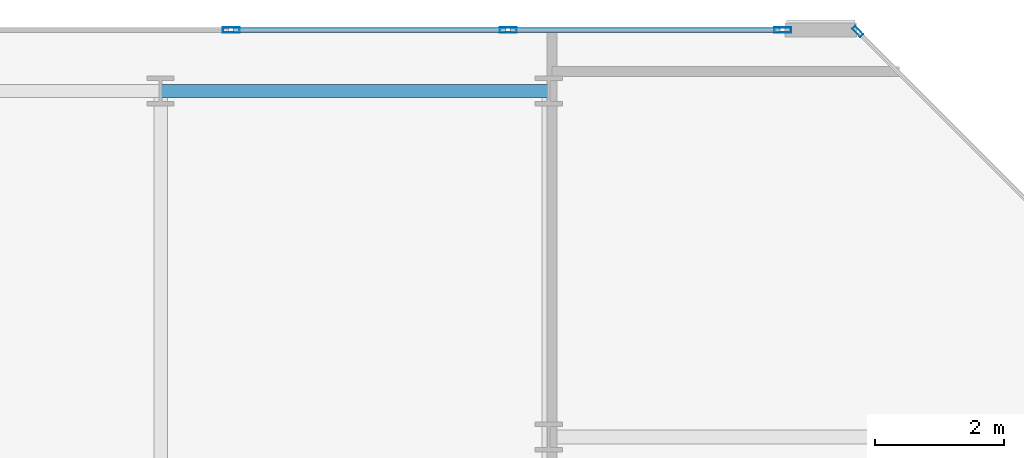
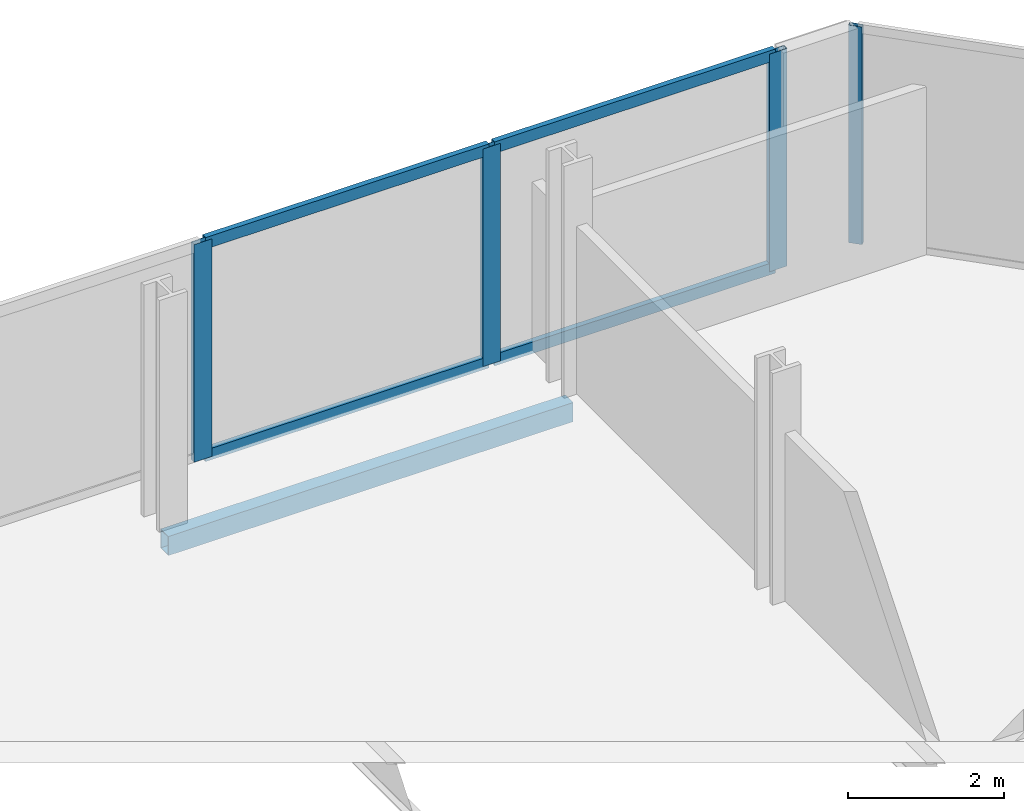
# One storey, part 12 of 17: 8 members, 1 beam, 2 elements without a shape of their own.
"""IFC4 building model written with IfcOpenShell, lengths in metres."""

from ifc_helpers import new_model, si_unit, direction, frame, origin, origin_2d, place, context, subcontext, project, spatial, hollow_rectangle, extrude, material, layer, layer_set, material_profile, profile_set, type_object, element, aggregate, save


model = new_model("IFC4")

# Units and contexts
model_context = context("Model", 3, precision=1e-05, world=origin(), true_north=direction((0.0, 1.0)))
body_context = subcontext(model_context, "Body", "Model", "MODEL_VIEW")
ifc_project = project(units=[si_unit("LENGTHUNIT", "METRE"), si_unit("AREAUNIT", "SQUARE_METRE"), si_unit("VOLUMEUNIT", "CUBIC_METRE"), si_unit("PLANEANGLEUNIT", "RADIAN"), si_unit("MASSUNIT", "GRAM", prefix="KILO")], contexts=[model_context])

# Site, building, storey
site_placement = place(None, origin())
site = spatial("IfcSite", under=ifc_project, at=site_placement, CompositionType="ELEMENT")
building_placement = place(site_placement, origin())
building = spatial("IfcBuilding", under=site, at=building_placement, Name="Tanjung Sevakor Pilgrim Tower", CompositionType="ELEMENT")
storey_placement = place(building_placement, frame((0.0, 0.0, 267.9599609375)))
storey = spatial("IfcBuildingStorey", under=building, at=storey_placement, Name="L75", CompositionType="ELEMENT", Elevation=267.9599609375)

# Beam
ifc_material_1 = material(Name="Steel S355J2", Category="steel")
ifc_material_profile_1 = material_profile(ifc_material_1, hollow_rectangle(XDim=0.199951171875, YDim=0.300048828125, WallThickness=0.012451171875, at=origin_2d()))
ifc_profile_set_1 = profile_set([ifc_material_profile_1], Name="Steel S355J2")
beam_type = type_object("IfcBeamType", Name="BM-B-SP3-RHS_300x200x12.5", PredefinedType="SPANDREL", material=ifc_profile_set_1)
beam_placement = place(storey_placement, frame((84.0, 53.949951171875, -0.369873046875), z_axis=(1.0, 0.0, 0.0), x_axis=(0.0, 1.0, 0.0)))
element("IfcBeam", 1, at=beam_placement, inside=storey, type_object=beam_type, Name="L75 Spandrel EAST N-06", PredefinedType="SPANDREL", context=body_context, shape_type="SweptSolid", body=[
    extrude(hollow_rectangle(XDim=0.199951171875, YDim=0.300048828125, WallThickness=0.012451171875, at=origin_2d()), origin(), (0.0, 0.0, 1.0), 6.0),
])

# Curtain wall, member
ifc_material_2 = material(Name="Aluminium 6063-T6 and Low-E Glass", Category="aluminium")
ifc_layer_1 = layer(ifc_material_2, 0.179931640625)
ifc_layer_set_1 = layer_set([ifc_layer_1], Name="CW-SYS-CHAM")
curtain_wall_type_1 = type_object("IfcCurtainWallType", Name="CW-SYS-CHAM", PredefinedType="NOTDEFINED", material=ifc_layer_set_1)
curtain_wall_1_placement = place(storey_placement, origin())
curtain_wall_1 = element("IfcCurtainWall", 2, at=curtain_wall_1_placement, inside=storey, type_object=curtain_wall_type_1, Name="L75 Curtain Wall CW-CHM-L75-EAST-3", PredefinedType="NOTDEFINED")
ifc_material_3 = material(Name="Aluminium 6063-T6", Category="aluminium")
ifc_material_profile_2 = material_profile(ifc_material_3, hollow_rectangle(XDim=0.06494140625, YDim=0.179931640625, WallThickness=0.00390625, at=origin_2d()))
ifc_profile_set_2 = profile_set([ifc_material_profile_2], Name="Aluminium 6063-T6")
member_type_1 = type_object("IfcMemberType", Name="TYPE-CWM-1", PredefinedType="MULLION", material=ifc_profile_set_2)
member_1_placement = place(storey_placement, frame((94.77734375, 54.866943359375, 0.0), z_axis=(0.0, 0.0, 1.0), x_axis=(-0.707106781187, -0.707106781187, 0.0)))
member_1 = element("IfcMember", 3, at=member_1_placement, type_object=member_type_1, Name="CW-CHM mullion 2", PredefinedType="MULLION", context=body_context, shape_type="SweptSolid", body=[
    extrude(hollow_rectangle(XDim=0.06494140625, YDim=0.179931640625, WallThickness=0.00390625, at=origin_2d()), origin(), (0.0, 0.0, 1.0), 3.41015625),
])
aggregate(curtain_wall_1, [member_1])

# Curtain wall, members
ifc_material_4 = material(Name="Aluminium 6063-T6 and Low-E Glass", Category="aluminium")
ifc_layer_2 = layer(ifc_material_4, 0.219970703125)
ifc_layer_set_2 = layer_set([ifc_layer_2], Name="CW-SYS-CRNE")
curtain_wall_type_2 = type_object("IfcCurtainWallType", Name="CW-SYS-CRNE", PredefinedType="NOTDEFINED", material=ifc_layer_set_2)
curtain_wall_2_placement = place(storey_placement, origin())
curtain_wall_2 = element("IfcCurtainWall", 4, at=curtain_wall_2_placement, inside=storey, type_object=curtain_wall_type_2, Name="L75 Curtain Wall CW-CRN-L75-EAST-4-1", PredefinedType="NOTDEFINED")
ifc_material_5 = material(Name="Aluminium 6063-T6", Category="aluminium")
ifc_material_profile_3 = material_profile(ifc_material_5, hollow_rectangle(XDim=0.080078125, YDim=0.260009765625, WallThickness=0.0048828125, at=origin_2d()))
ifc_profile_set_3 = profile_set([ifc_material_profile_3], Name="Aluminium 6063-T6")
member_type_2 = type_object("IfcMemberType", Name="TYPE-CWM-3", PredefinedType="MULLION", material=ifc_profile_set_3)
member_2_placement = place(storey_placement, frame((93.614501953125, 54.889892578125, 0.0), z_axis=(0.0, 0.0, 1.0), x_axis=(0.0, -1.0, 0.0)))
member_2 = element("IfcMember", 5, at=member_2_placement, type_object=member_type_2, Name="CW-CRE mullion 1", PredefinedType="MULLION", context=body_context, shape_type="SweptSolid", body=[
    extrude(hollow_rectangle(XDim=0.080078125, YDim=0.260009765625, WallThickness=0.0048828125, at=origin_2d()), origin(), (0.0, 0.0, 1.0), 3.41015625),
])
member_3_placement = place(storey_placement, frame((89.37255859375, 54.889892578125, 0.0), z_axis=(0.0, 0.0, 1.0), x_axis=(0.0, -1.0, 0.0)))
member_3 = element("IfcMember", 6, at=member_3_placement, type_object=member_type_2, Name="CW-CRE mullion 2", PredefinedType="MULLION", context=body_context, shape_type="SweptSolid", body=[
    extrude(hollow_rectangle(XDim=0.080078125, YDim=0.260009765625, WallThickness=0.0048828125, at=origin_2d()), origin(), (0.0, 0.0, 1.0), 3.41015625),
])
member_4_placement = place(storey_placement, frame((85.0908203125, 54.889892578125, 0.0), z_axis=(0.0, 0.0, 1.0), x_axis=(0.0, -1.0, 0.0)))
member_4 = element("IfcMember", 7, at=member_4_placement, type_object=member_type_2, Name="CW-CRE mullion 3", PredefinedType="MULLION", context=body_context, shape_type="SweptSolid", body=[
    extrude(hollow_rectangle(XDim=0.080078125, YDim=0.260009765625, WallThickness=0.0048828125, at=origin_2d()), origin(), (0.0, 0.0, 1.0), 3.41015625),
])
ifc_material_6 = material(Name="Aluminium 6063-T6", Category="aluminium")
ifc_material_profile_4 = material_profile(ifc_material_6, hollow_rectangle(XDim=0.080078125, YDim=0.179931640625, WallThickness=0.0048828125, at=origin_2d()))
ifc_profile_set_4 = profile_set([ifc_material_profile_4], Name="Aluminium 6063-T6")
member_type_3 = type_object("IfcMemberType", Name="TYPE-CWT-3", PredefinedType="USERDEFINED", material=ifc_profile_set_4)
member_5_placement = place(storey_placement, frame((93.574462890625, 54.889892578125, 0.0400390625), z_axis=(-1.0, 0.0, 0.0), x_axis=(0.0, -1.0, 0.0)))
member_5 = element("IfcMember", 8, at=member_5_placement, type_object=member_type_3, Name="CW-CRE transom 1.1", ObjectType="TRANSOM", PredefinedType="USERDEFINED", context=body_context, shape_type="SweptSolid", body=[
    extrude(hollow_rectangle(XDim=0.080078125, YDim=0.179931640625, WallThickness=0.0048828125, at=origin_2d()), origin(), (0.0, 0.0, 1.0), 4.161865234375),
])
member_6_placement = place(storey_placement, frame((93.574462890625, 54.889892578125, 3.3701171875), z_axis=(-1.0, 0.0, 0.0), x_axis=(0.0, -1.0, 0.0)))
member_6 = element("IfcMember", 9, at=member_6_placement, type_object=member_type_3, Name="CW-CRE transom 1.2", ObjectType="TRANSOM", PredefinedType="USERDEFINED", context=body_context, shape_type="SweptSolid", body=[
    extrude(hollow_rectangle(XDim=0.080078125, YDim=0.179931640625, WallThickness=0.0048828125, at=origin_2d()), origin(), (0.0, 0.0, 1.0), 4.161865234375),
])
member_7_placement = place(storey_placement, frame((89.33251953125, 54.889892578125, 0.0400390625), z_axis=(-1.0, 0.0, 0.0), x_axis=(0.0, -1.0, 0.0)))
member_7 = element("IfcMember", 10, at=member_7_placement, type_object=member_type_3, Name="CW-CRE transom 2.1", ObjectType="TRANSOM", PredefinedType="USERDEFINED", context=body_context, shape_type="SweptSolid", body=[
    extrude(hollow_rectangle(XDim=0.080078125, YDim=0.179931640625, WallThickness=0.0048828125, at=origin_2d()), origin(), (0.0, 0.0, 1.0), 4.20166015625),
])
member_8_placement = place(storey_placement, frame((89.33251953125, 54.889892578125, 3.3701171875), z_axis=(-1.0, 0.0, 0.0), x_axis=(0.0, -1.0, 0.0)))
member_8 = element("IfcMember", 11, at=member_8_placement, type_object=member_type_3, Name="CW-CRE transom 2.2", ObjectType="TRANSOM", PredefinedType="USERDEFINED", context=body_context, shape_type="SweptSolid", body=[
    extrude(hollow_rectangle(XDim=0.080078125, YDim=0.179931640625, WallThickness=0.0048828125, at=origin_2d()), origin(), (0.0, 0.0, 1.0), 4.20166015625),
])
aggregate(curtain_wall_2, [member_2, member_3, member_4, member_5, member_6, member_7, member_8])

save(model, "model.ifc")
